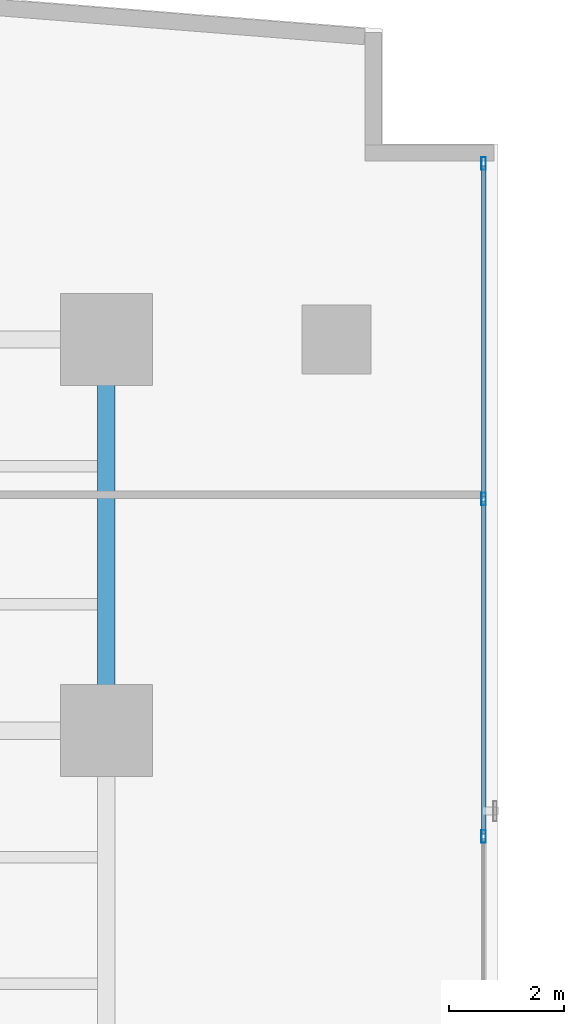
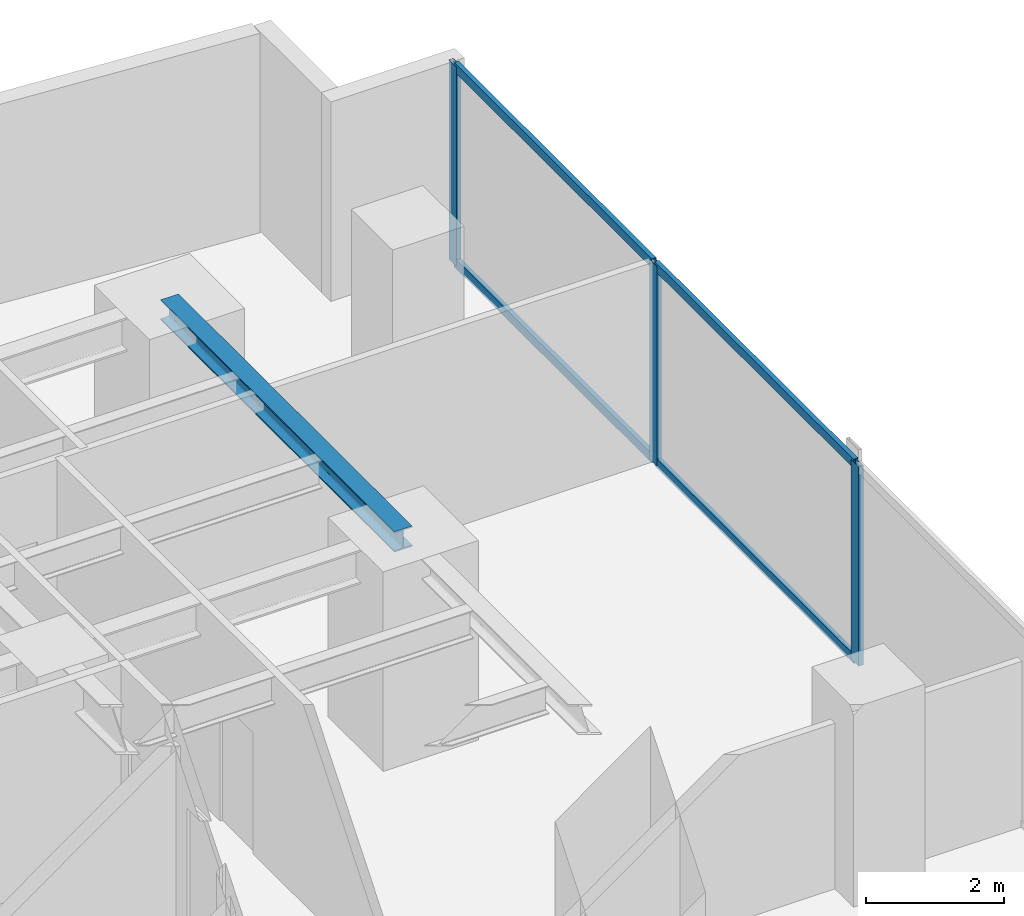
# One storey, part 19 of 26: 7 members, 1 beam, 1 element without a shape of its own.
"""IFC4 building model written with IfcOpenShell, lengths in metres."""

from ifc_helpers import new_model, si_unit, direction, frame, origin, origin_with_axes, origin_2d, place, context, subcontext, project, spatial, hollow_rectangle, i_section, extrude, source, transform, mapped, material, layer, layer_set, material_profile, profile_set, type_object, element, aggregate, save


model = new_model("IFC4")

# Units and contexts
model_context = context("Model", 3, precision=1e-05, world=origin(), true_north=direction((0.0, 1.0)))
body_context = subcontext(model_context, "Body", "Model", "MODEL_VIEW")
ifc_project = project(units=[si_unit("LENGTHUNIT", "METRE"), si_unit("AREAUNIT", "SQUARE_METRE"), si_unit("VOLUMEUNIT", "CUBIC_METRE"), si_unit("PLANEANGLEUNIT", "RADIAN"), si_unit("MASSUNIT", "GRAM", prefix="KILO")], contexts=[model_context])

# Site, building, storey
site_placement = place(None, origin())
site = spatial("IfcSite", under=ifc_project, at=site_placement, CompositionType="ELEMENT")
building_placement = place(site_placement, origin())
building = spatial("IfcBuilding", under=site, at=building_placement, Name="Kolvaren Waterfront Exchange", CompositionType="ELEMENT")
storey_placement = place(building_placement, frame((0.0, 0.0, 44.800048828125)))
storey = spatial("IfcBuildingStorey", under=building, at=storey_placement, Name="L11", CompositionType="ELEMENT", Elevation=44.800048828125)

# Beam
ifc_material_1 = material(Name="Steel S355", Category="steel")
ifc_material_profile_1 = material_profile(ifc_material_1, i_section(OverallWidth=0.300048828125, OverallDepth=0.360107421875, WebThickness=0.012451171875, FlangeThickness=0.0224609375, FilletRadius=0.027099609375, at=origin_2d()), Name="HEB360")
ifc_profile_set_1 = profile_set([ifc_material_profile_1], Name="Steel S355")
beam_type = type_object("IfcBeamType", Name="STR-BM-HEB360", PredefinedType="SPANDREL", material=ifc_profile_set_1)
beam_placement = place(storey_placement, frame((18.800048828125, 37.800048828125, 3.35986328125), z_axis=(0.0, 1.0, 0.0), x_axis=(-1.0, 0.0, 0.0)))
element("IfcBeam", 1, at=beam_placement, inside=storey, type_object=beam_type, Name="L11 north-arm edge beam 3", PredefinedType="SPANDREL", context=body_context, shape_type="SweptSolid", body=[
    extrude(i_section(OverallWidth=0.300048828125, OverallDepth=0.360107421875, WebThickness=0.012451171875, FlangeThickness=0.0224609375, FilletRadius=0.027099609375, at=origin_2d()), origin(), (0.0, 0.0, 1.0), 6.800048828125),
])

# Curtain wall, members
ifc_material_2 = material(Name="Anodised bronze aluminium 6063-T6", Category="aluminium")
ifc_layer = layer(ifc_material_2, 0.219970703125, Name="Anodised bronze aluminium 6063-T6")
ifc_layer_set = layer_set([ifc_layer], Name="Anodised bronze aluminium 6063-T6")
curtain_wall_type = type_object("IfcCurtainWallType", Name="ARC-CW-SYS1", PredefinedType="USERDEFINED", material=ifc_layer_set)
curtain_wall_placement = place(storey_placement, origin())
curtain_wall = element("IfcCurtainWall", 2, at=curtain_wall_placement, inside=storey, type_object=curtain_wall_type, Name="L11 stick curtain wall CW1 (CW-L11-NE)", ObjectType="STICK CURTAIN WALL", PredefinedType="USERDEFINED")
ifc_material_3 = material(Name="Anodised aluminium 6063-T6", Category="aluminium")
ifc_material_profile_2 = material_profile(ifc_material_3, hollow_rectangle(XDim=0.074951171875, YDim=0.159912109375, WallThickness=0.00439453125, at=origin_2d()), Name="ALU-TRN-160x75x4.5")
ifc_profile_set_2 = profile_set([ifc_material_profile_2], Name="Anodised aluminium 6063-T6")
member_type_1 = type_object("IfcMemberType", Name="ARC-CWT-160", PredefinedType="USERDEFINED", material=ifc_profile_set_2)
shared_shape_1 = source(origin_with_axes(), body_context, "Body", "SweptSolid", [
    extrude(hollow_rectangle(XDim=0.074951171875, YDim=0.159912109375, WallThickness=0.00439453125, at=origin_2d()), origin(), (0.0, 0.0, 1.0), 5.75),
])
member_1_placement = place(storey_placement, frame((25.360107421875, 41.8701171875, 0.037353515625), z_axis=(0.0, 1.0, 0.0), x_axis=(-1.0, 0.0, 0.0)))
member_1 = element("IfcMember", 3, at=member_1_placement, type_object=member_type_1, Name="CW1 transom 3.1", ObjectType="TRANSOM", PredefinedType="USERDEFINED", context=body_context, shape_type="MappedRepresentation", body=[
    mapped(shared_shape_1, transform((0.0, 0.0, 0.0), x_axis=(1.0, 0.0, 0.0), y_axis=(0.0, 1.0, 0.0), z_axis=(0.0, 0.0, 1.0), scale=1.0)),
])
member_2_placement = place(storey_placement, frame((25.360107421875, 41.8701171875, 3.50244140625), z_axis=(0.0, 1.0, 0.0), x_axis=(-1.0, 0.0, 0.0)))
member_2 = element("IfcMember", 4, at=member_2_placement, type_object=member_type_1, Name="CW1 transom 3.2", ObjectType="TRANSOM", PredefinedType="USERDEFINED", context=body_context, shape_type="MappedRepresentation", body=[
    mapped(shared_shape_1, transform((0.0, 0.0, 0.0), x_axis=(1.0, 0.0, 0.0), y_axis=(0.0, 1.0, 0.0), z_axis=(0.0, 0.0, 1.0), scale=1.0)),
])
shared_shape_2 = source(origin_with_axes(), body_context, "Body", "SweptSolid", [
    extrude(hollow_rectangle(XDim=0.074951171875, YDim=0.159912109375, WallThickness=0.00439453125, at=origin_2d()), origin(), (0.0, 0.0, 1.0), 5.7900390625),
])
member_3_placement = place(storey_placement, frame((25.360107421875, 36.0, 0.037353515625), z_axis=(0.0, 1.0, 0.0), x_axis=(-1.0, 0.0, 0.0)))
member_3 = element("IfcMember", 5, at=member_3_placement, type_object=member_type_1, Name="CW1 transom 2.1", ObjectType="TRANSOM", PredefinedType="USERDEFINED", context=body_context, shape_type="MappedRepresentation", body=[
    mapped(shared_shape_2, transform((0.0, 0.0, 0.0), x_axis=(1.0, 0.0, 0.0), y_axis=(0.0, 1.0, 0.0), z_axis=(0.0, 0.0, 1.0), scale=1.0)),
])
member_4_placement = place(storey_placement, frame((25.360107421875, 36.0, 3.50244140625), z_axis=(0.0, 1.0, 0.0), x_axis=(-1.0, 0.0, 0.0)))
member_4 = element("IfcMember", 6, at=member_4_placement, type_object=member_type_1, Name="CW1 transom 2.2", ObjectType="TRANSOM", PredefinedType="USERDEFINED", context=body_context, shape_type="MappedRepresentation", body=[
    mapped(shared_shape_2, transform((0.0, 0.0, 0.0), x_axis=(1.0, 0.0, 0.0), y_axis=(0.0, 1.0, 0.0), z_axis=(0.0, 0.0, 1.0), scale=1.0)),
])
ifc_material_profile_3 = material_profile(ifc_material_3, hollow_rectangle(XDim=0.080078125, YDim=0.219970703125, WallThickness=0.0048828125, at=origin_2d()), Name="ALU-MUL-220x80x5")
ifc_profile_set_3 = profile_set([ifc_material_profile_3], Name="Anodised aluminium 6063-T6")
member_type_2 = type_object("IfcMemberType", Name="ARC-CWM-220", PredefinedType="MULLION", material=ifc_profile_set_3)
shared_shape_3 = source(origin_with_axes(), body_context, "Body", "SweptSolid", [
    extrude(hollow_rectangle(XDim=0.080078125, YDim=0.219970703125, WallThickness=0.0048828125, at=origin_2d()), origin(), (0.0, 0.0, 1.0), 3.5400390625),
])
member_5_placement = place(storey_placement, frame((25.360107421875, 35.9599609375, 0.0), z_axis=(0.0, 0.0, 1.0), x_axis=(-1.0, 0.0, 0.0)))
member_5 = element("IfcMember", 7, at=member_5_placement, type_object=member_type_2, Name="CW1 mullion 2", PredefinedType="MULLION", context=body_context, shape_type="MappedRepresentation", body=[
    mapped(shared_shape_3, transform((0.0, 0.0, 0.0), x_axis=(1.0, 0.0, 0.0), y_axis=(0.0, 1.0, 0.0), z_axis=(0.0, 0.0, 1.0), scale=1.0)),
])
member_6_placement = place(storey_placement, frame((25.360107421875, 41.830078125, 0.0), z_axis=(0.0, 0.0, 1.0), x_axis=(-1.0, 0.0, 0.0)))
member_6 = element("IfcMember", 8, at=member_6_placement, type_object=member_type_2, Name="CW1 mullion 3", PredefinedType="MULLION", context=body_context, shape_type="MappedRepresentation", body=[
    mapped(shared_shape_3, transform((0.0, 0.0, 0.0), x_axis=(1.0, 0.0, 0.0), y_axis=(0.0, 1.0, 0.0), z_axis=(0.0, 0.0, 1.0), scale=1.0)),
])
member_7_placement = place(storey_placement, frame((25.360107421875, 47.659912109375, 0.0), z_axis=(0.0, 0.0, 1.0), x_axis=(-1.0, 0.0, 0.0)))
member_7 = element("IfcMember", 9, at=member_7_placement, type_object=member_type_2, Name="CW1 mullion 4", PredefinedType="MULLION", context=body_context, shape_type="MappedRepresentation", body=[
    mapped(shared_shape_3, transform((0.0, 0.0, 0.0), x_axis=(1.0, 0.0, 0.0), y_axis=(0.0, 1.0, 0.0), z_axis=(0.0, 0.0, 1.0), scale=1.0)),
])
aggregate(curtain_wall, [member_5, member_6, member_7, member_3, member_4, member_1, member_2])

save(model, "model.ifc")
